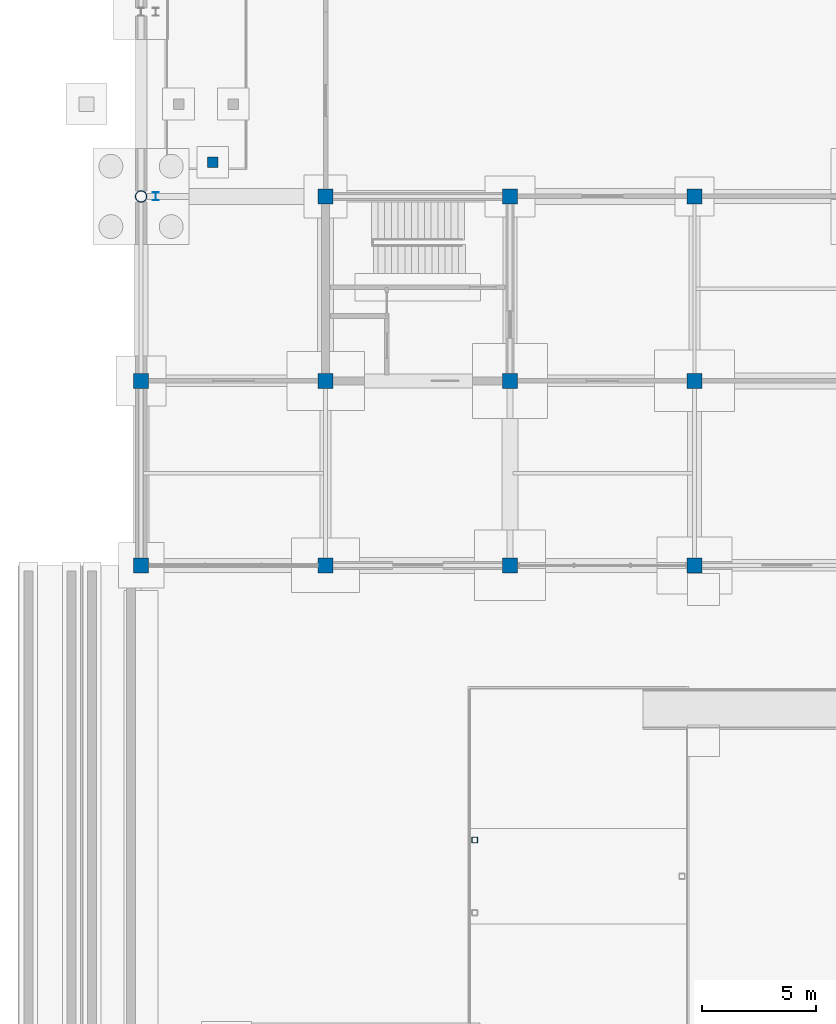
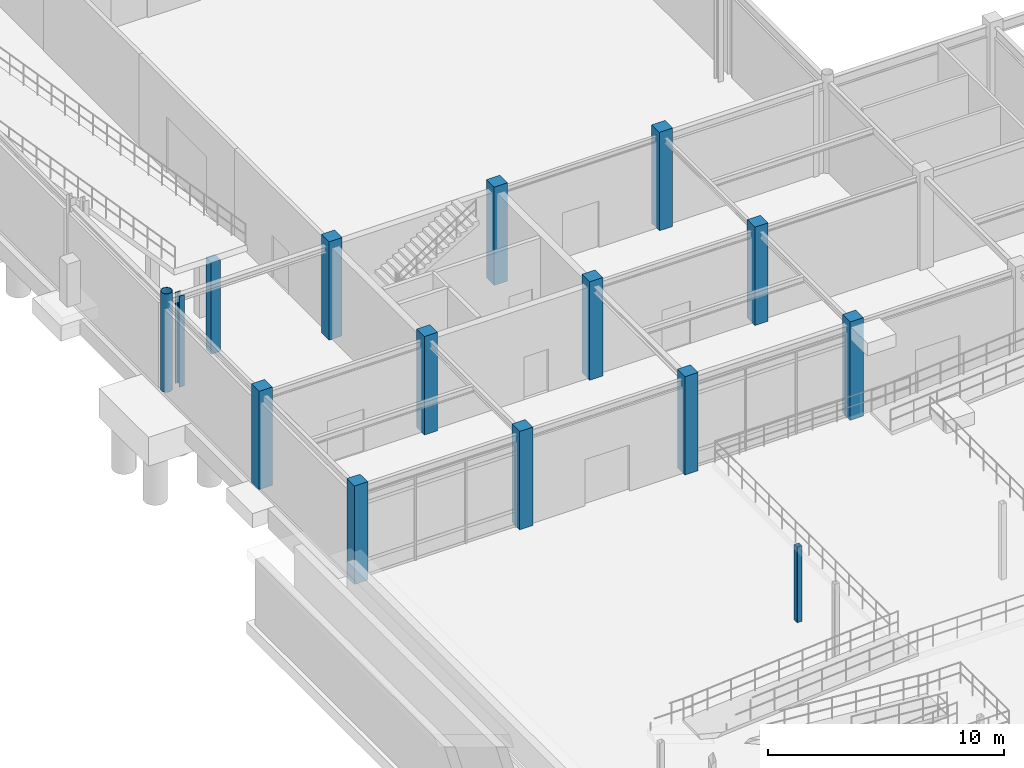
# One storey, part 13 of 67: 15 columns.
"""IFC4 building model written with IfcOpenShell, lengths in metres."""

from ifc_helpers import new_model, si_unit, direction, frame, origin, origin_2d, place, context, subcontext, project, spatial, rectangle, hollow_rectangle, hollow_circle, i_section, extrude, material, material_profile, profile_set, type_object, element, save


model = new_model("IFC4")

# Units and contexts
model_context = context("Model", 3, precision=1e-05, world=origin(), true_north=direction((0.0, 1.0)))
body_context = subcontext(model_context, "Body", "Model", "MODEL_VIEW")
ifc_project = project(units=[si_unit("LENGTHUNIT", "METRE"), si_unit("AREAUNIT", "SQUARE_METRE"), si_unit("VOLUMEUNIT", "CUBIC_METRE"), si_unit("PLANEANGLEUNIT", "RADIAN"), si_unit("MASSUNIT", "GRAM", prefix="KILO")], contexts=[model_context])

# Site, building, storey
site_placement = place(None, origin())
site = spatial("IfcSite", under=ifc_project, at=site_placement, CompositionType="ELEMENT")
building_placement = place(site_placement, origin())
building = spatial("IfcBuilding", under=site, at=building_placement, Name="Vaudrelin Polytechnic", CompositionType="ELEMENT")
storey_placement = place(building_placement, frame((0.0, 0.0, -5.10009765625)))
storey = spatial("IfcBuildingStorey", under=building, at=storey_placement, Name="B1", CompositionType="ELEMENT", Elevation=-5.10009765625)

# Columns
ifc_material_1 = material(Name="Steel CSA G40.21 350W", Category="steel")
ifc_material_profile_1 = material_profile(ifc_material_1, hollow_rectangle(XDim=0.25390625, YDim=0.25390625, WallThickness=0.0126953125, InnerFilletRadius=0.0126953125, OuterFilletRadius=0.025390625, at=origin_2d()), Name="HSS254x254x12.7")
ifc_profile_set_1 = profile_set([ifc_material_profile_1], Name="Steel CSA G40.21 350W")
column_type_1 = type_object("IfcColumnType", Name="COL-C-HSS254", PredefinedType="COLUMN", material=ifc_profile_set_1)
column_1_placement = place(storey_placement, frame((14.64990234375, 20.345947265625, 0.0), z_axis=(0.0, 0.0, 1.0), x_axis=(1.0, 0.0, 0.0)))
element("IfcColumn", 1, at=column_1_placement, inside=storey, type_object=column_type_1, Name="Forecourt ramp support pier 5.3", PredefinedType="COLUMN", context=body_context, shape_type="SweptSolid", body=[
    extrude(hollow_rectangle(XDim=0.25390625, YDim=0.25390625, WallThickness=0.0126953125, InnerFilletRadius=0.0126953125, OuterFilletRadius=0.025390625, at=origin_2d()), origin(), (0.0, 0.0, 1.0), 3.9150390625),
])
ifc_material_2 = material(Name="Concrete 40 MPa", Category="concrete")
ifc_material_profile_2 = material_profile(ifc_material_2, rectangle(XDim=0.449951171875, YDim=0.449951171875, at=origin_2d()), Name="RC450x450")
ifc_profile_set_2 = profile_set([ifc_material_profile_2], Name="Concrete 40 MPa")
column_type_2 = type_object("IfcColumnType", Name="COL-C-RC450", PredefinedType="COLUMN", material=ifc_profile_set_2)
column_2_placement = place(storey_placement, frame((3.14990234375, 50.10009765625, 0.0), z_axis=(0.0, 0.0, 1.0), x_axis=(1.0, 0.0, 0.0)))
element("IfcColumn", 2, at=column_2_placement, inside=storey, type_object=column_type_2, Name="Vehicle ramp support pier VRMP-TOP", PredefinedType="COLUMN", context=body_context, shape_type="SweptSolid", body=[
    extrude(rectangle(XDim=0.449951171875, YDim=0.449951171875, at=origin_2d()), origin(), (0.0, 0.0, 1.0), 4.7548828125),
])
ifc_material_profile_3 = material_profile(ifc_material_2, rectangle(XDim=0.64990234375, YDim=0.64990234375, at=origin_2d()), Name="RC650x650")
ifc_profile_set_3 = profile_set([ifc_material_profile_3], Name="Concrete 40 MPa")
column_type_3 = type_object("IfcColumnType", Name="COL-C-RC650", PredefinedType="COLUMN", material=ifc_profile_set_3)
for number, where, z_axis, x_axis, name in (
    (3, (0.0, 32.39990234375, 0.0), (0.0, 0.0, 1.0), (1.0, 0.0, 0.0), "Column B1 1-5"),
    (4, (0.0, 40.5, 0.0), (0.0, 0.0, 1.0), (1.0, 0.0, 0.0), "Column B1 1-6"),
    (5, (8.10009765625, 32.39990234375, 0.0), (0.0, 0.0, 1.0), (1.0, 0.0, 0.0), "Column B1 2-5"),
    (6, (8.10009765625, 40.5, 0.0), (0.0, 0.0, 1.0), (1.0, 0.0, 0.0), "Column B1 2-6"),
    (7, (8.10009765625, 48.60009765625, 0.0), (0.0, 0.0, 1.0), (1.0, 0.0, 0.0), "Column B1 2-7"),
    (8, (16.199951171875, 32.39990234375, 0.0), (0.0, 0.0, 1.0), (1.0, 0.0, 0.0), "Column B1 3-5"),
    (9, (16.199951171875, 40.5, 0.0), (0.0, 0.0, 1.0), (1.0, 0.0, 0.0), "Column B1 3-6"),
    (10, (16.199951171875, 48.60009765625, 0.0), (0.0, 0.0, 1.0), (1.0, 0.0, 0.0), "Column B1 3-7"),
    (11, (24.300048828125, 32.39990234375, 0.0), (0.0, 0.0, 1.0), (1.0, 0.0, 0.0), "Column B1 4-5"),
    (12, (24.300048828125, 40.5, 0.0), (0.0, 0.0, 1.0), (1.0, 0.0, 0.0), "Column B1 4-6"),
    (13, (24.300048828125, 48.60009765625, 0.0), (0.0, 0.0, 1.0), (1.0, 0.0, 0.0), "Column B1 4-7"),
):
    element("IfcColumn", number, at=place(storey_placement, frame(where, z_axis=z_axis, x_axis=x_axis)), inside=storey, type_object=column_type_3, Name=name, PredefinedType="COLUMN", context=body_context, shape_type="SweptSolid", body=[
        extrude(rectangle(XDim=0.64990234375, YDim=0.64990234375, at=origin_2d()), origin(), (0.0, 0.0, 1.0), 5.10009765625),
    ])
ifc_material_3 = material(Name="Steel CSA G40.21 350WT", Category="steel")
ifc_material_profile_4 = material_profile(ifc_material_3, hollow_circle(Radius=0.25390625, WallThickness=0.01904296875, at=origin_2d()), Name="CHS508.0x19.1")
ifc_profile_set_4 = profile_set([ifc_material_profile_4], Name="Steel CSA G40.21 350WT")
column_type_4 = type_object("IfcColumnType", Name="COL-C-TR508", PredefinedType="COLUMN", material=ifc_profile_set_4)
column_3_placement = place(storey_placement, frame((0.0, 48.60009765625, 0.0), z_axis=(0.0, 0.0, 1.0), x_axis=(1.0, 0.0, 0.0)))
element("IfcColumn", 14, at=column_3_placement, inside=storey, type_object=column_type_4, Name="Column B1 1-7", PredefinedType="COLUMN", context=body_context, shape_type="SweptSolid", body=[
    extrude(hollow_circle(Radius=0.25390625, WallThickness=0.01904296875, at=origin_2d()), origin(), (0.0, 0.0, 1.0), 5.10009765625),
])
ifc_material_profile_5 = material_profile(ifc_material_1, i_section(OverallWidth=0.25390625, OverallDepth=0.35302734375, WebThickness=0.009521484375, FlangeThickness=0.016357421875, FilletRadius=0.01611328125, at=origin_2d()), Name="W360x91")
ifc_profile_set_5 = profile_set([ifc_material_profile_5], Name="Steel CSA G40.21 350W")
column_type_5 = type_object("IfcColumnType", Name="COL-C-W360", PredefinedType="PILASTER", material=ifc_profile_set_5)
column_4_placement = place(storey_placement, frame((0.64990234375, 48.60009765625, 0.0), z_axis=(0.0, 0.0, 1.0), x_axis=(1.0, 0.0, 0.0)))
element("IfcColumn", 15, at=column_4_placement, inside=storey, type_object=column_type_5, Name="Basement crane support post WEST-6", PredefinedType="PILASTER", context=body_context, shape_type="SweptSolid", body=[
    extrude(i_section(OverallWidth=0.25390625, OverallDepth=0.35302734375, WebThickness=0.009521484375, FlangeThickness=0.016357421875, FilletRadius=0.01611328125, at=origin_2d()), origin(), (0.0, 0.0, 1.0), 4.72412109375),
])

save(model, "model.ifc")
